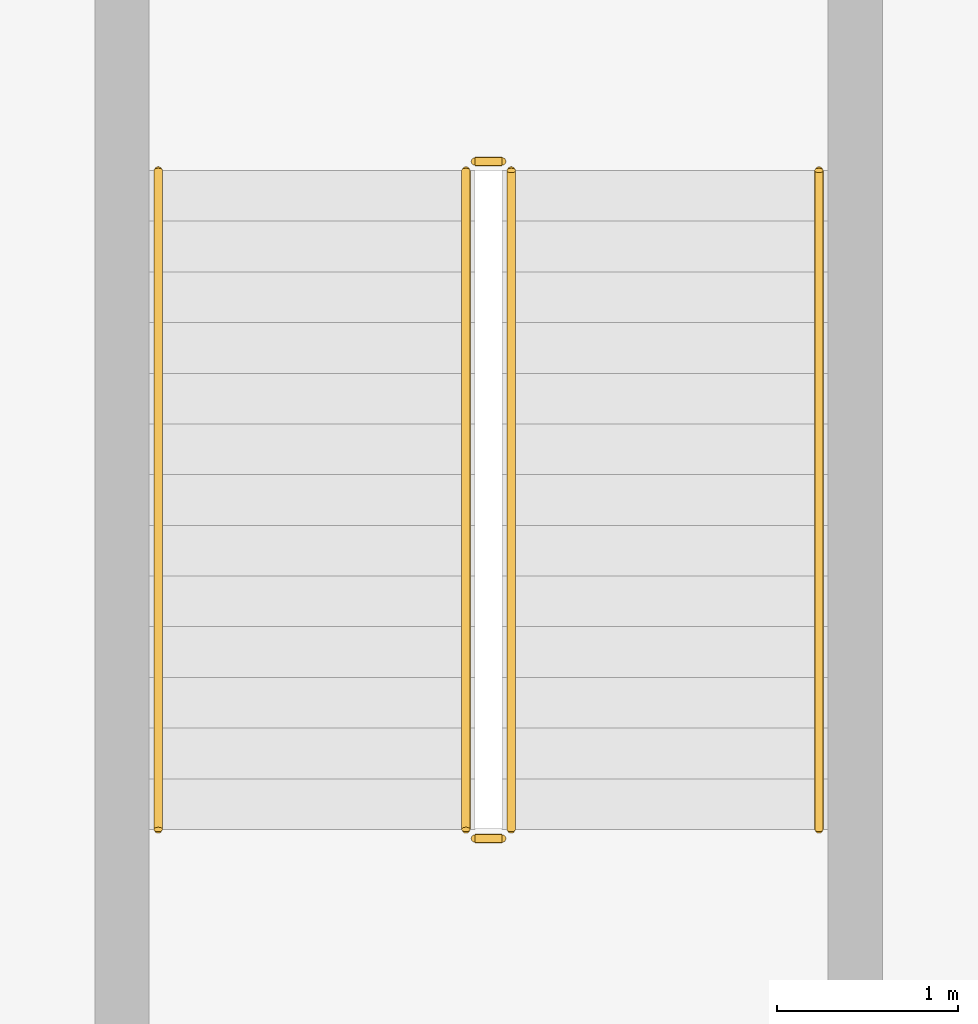
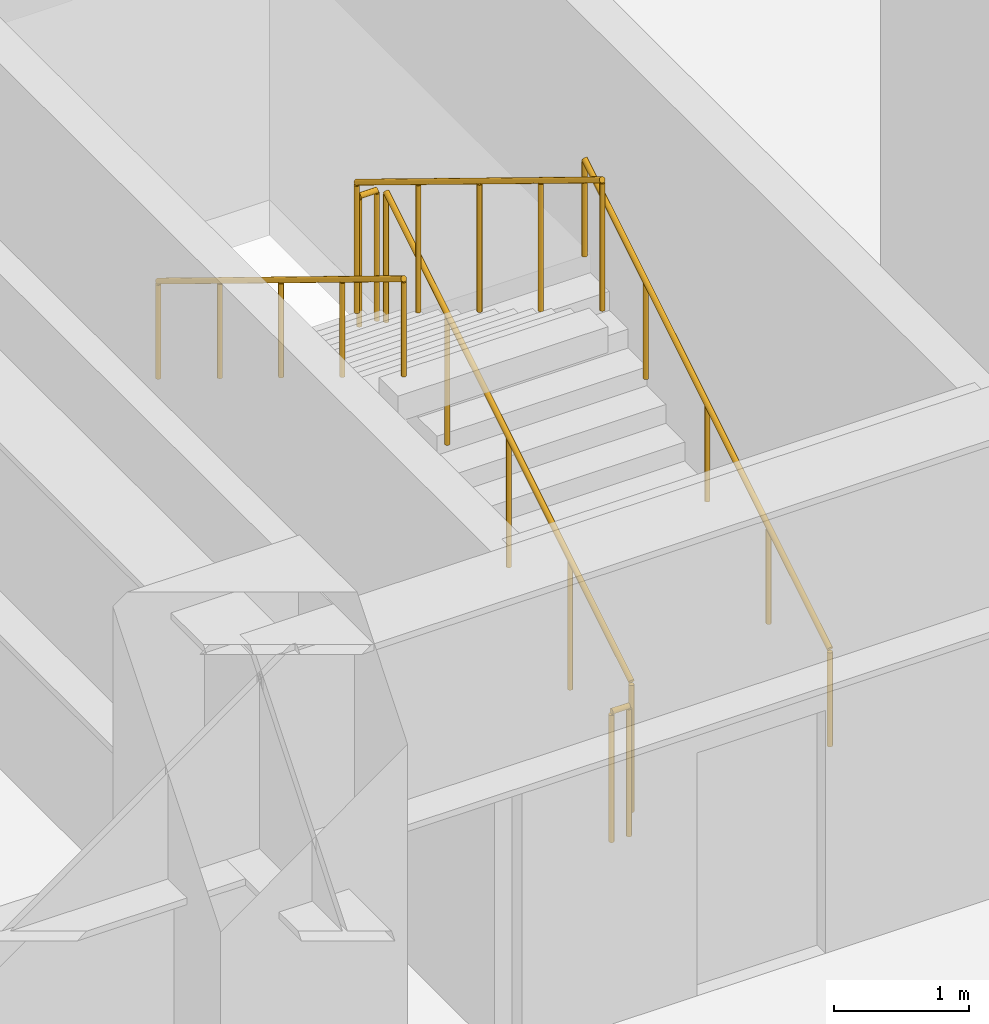
# One storey, part 9 of 13: 6 railings.
"""IFC4 building model written with IfcOpenShell, lengths in metres."""

from ifc_helpers import new_model, si_unit, direction, frame, origin, origin_2d, place, context, subcontext, project, spatial, circle, extrude, source, transform, mapped, material, type_object, element, save


model = new_model("IFC4")

# Units and contexts
model_context = context("Model", 3, precision=1e-05, world=origin(), true_north=direction((0.0, 1.0)))
body_context = subcontext(model_context, "Body", "Model", "MODEL_VIEW")
ifc_project = project(units=[si_unit("LENGTHUNIT", "METRE"), si_unit("AREAUNIT", "SQUARE_METRE"), si_unit("VOLUMEUNIT", "CUBIC_METRE"), si_unit("PLANEANGLEUNIT", "RADIAN"), si_unit("MASSUNIT", "GRAM", prefix="KILO")], contexts=[model_context])

# Site, building, storey
site_placement = place(None, origin())
site = spatial("IfcSite", under=ifc_project, at=site_placement, CompositionType="ELEMENT")
building_placement = place(site_placement, origin())
building = spatial("IfcBuilding", under=site, at=building_placement, Name="Khorayat Bourse Tower", CompositionType="ELEMENT")
storey_placement = place(building_placement, frame((0.0, 0.0, -4.800048828125)))
storey = spatial("IfcBuildingStorey", under=building, at=storey_placement, Name="B01", CompositionType="ELEMENT", Elevation=-4.800048828125)

# Railings
ifc_material_1 = material(Name="Powder-coated steel balustrade", Category="steel")
railing_type_1 = type_object("IfcRailingType", Name="RLG-GUARD-1200", PredefinedType="GUARDRAIL", material=ifc_material_1)
shared_shape_1 = source(origin(), body_context, "Body", "SweptSolid", [
    extrude(circle(Radius=0.02392578125, at=origin_2d()), frame((0.0, 0.0, 1.17578125), z_axis=(-1.0, 0.0, 0.0), x_axis=(0.0, -1.0, 0.0)), (0.0, 0.0, 1.0), 0.14990234375),
    extrude(circle(Radius=0.02099609375, at=origin_2d()), origin(), (0.0, 0.0, 1.0), 1.15185546875),
    extrude(circle(Radius=0.02099609375, at=origin_2d()), frame((-0.14990234375, 0.0, 0.0)), (0.0, 0.0, 1.0), 1.15185546875),
])
for number, where, name in (
    (1, (-27.60009765625, -18.110107421875, 2.400146484375), "B01 ST-P1 stair guard 2"),
    (2, (-27.60009765625, -21.85009765625, 0.0), "B01 ST-P1 stair guard 4"),
):
    element("IfcRailing", number, at=place(storey_placement, frame(where)), inside=storey, type_object=railing_type_1, Name=name, PredefinedType="GUARDRAIL", context=body_context, shape_type="MappedRepresentation", body=[
        mapped(shared_shape_1, transform((0.0, 0.0, 0.0), scale=1.0)),
    ])
shared_shape_2 = source(origin(), body_context, "Body", "SweptSolid", [
    extrude(circle(Radius=0.02392578125, at=origin_2d()), frame((0.0, 0.0, 1.17578125), z_axis=(0.0, -0.852865859571, 0.52213008492), x_axis=(1.0, 0.0, 0.0)), (0.0, 0.0, 1.0), 4.26806640625),
    extrude(circle(Radius=0.02099609375, at=origin_2d()), origin(), (0.0, 0.0, 1.0), 1.15185546875),
    extrude(circle(Radius=0.02099609375, at=origin_2d()), frame((0.0, -0.91015625, 0.55712890625)), (0.0, 0.0, 1.0), 1.15185546875),
    extrude(circle(Radius=0.02099609375, at=origin_2d()), frame((0.0, -1.820068359375, 1.1142578125)), (0.0, 0.0, 1.0), 1.15185546875),
    extrude(circle(Radius=0.02099609375, at=origin_2d()), frame((0.0, -2.72998046875, 1.67138671875)), (0.0, 0.0, 1.0), 1.15185546875),
    extrude(circle(Radius=0.02099609375, at=origin_2d()), frame((0.0, -3.64013671875, 2.228515625)), (0.0, 0.0, 1.0), 1.15185546875),
])
railing_1_placement = place(storey_placement, frame((-27.800048828125, -18.159912109375, 2.571533203125)))
element("IfcRailing", 3, at=railing_1_placement, inside=storey, type_object=railing_type_1, Name="B01 ST-P1 stair guard 3", PredefinedType="GUARDRAIL", context=body_context, shape_type="MappedRepresentation", body=[
    mapped(shared_shape_2, transform((0.0, 0.0, 0.0), scale=1.0)),
])
ifc_material_2 = material(Name="Brushed bronze stainless-steel handrail", Category="steel")
railing_type_2 = type_object("IfcRailingType", Name="RLG-HAND-900", PredefinedType="HANDRAIL", material=ifc_material_2)
shared_shape_3 = source(origin(), body_context, "Body", "SweptSolid", [
    extrude(circle(Radius=0.02392578125, at=origin_2d()), frame((0.0, 0.0, 0.8759765625), z_axis=(0.0, -0.852865859571, 0.52213008492), x_axis=(1.0, 0.0, 0.0)), (0.0, 0.0, 1.0), 4.26806640625),
    extrude(circle(Radius=0.02099609375, at=origin_2d()), origin(), (0.0, 0.0, 1.0), 0.851806640625),
    extrude(circle(Radius=0.02099609375, at=origin_2d()), frame((0.0, -0.91015625, 0.55712890625)), (0.0, 0.0, 1.0), 0.851806640625),
    extrude(circle(Radius=0.02099609375, at=origin_2d()), frame((0.0, -1.820068359375, 1.1142578125)), (0.0, 0.0, 1.0), 0.851806640625),
    extrude(circle(Radius=0.02099609375, at=origin_2d()), frame((0.0, -2.72998046875, 1.67138671875)), (0.0, 0.0, 1.0), 0.851806640625),
    extrude(circle(Radius=0.02099609375, at=origin_2d()), frame((0.0, -3.64013671875, 2.228515625)), (0.0, 0.0, 1.0), 0.851806640625),
])
railing_2_placement = place(storey_placement, frame((-29.5, -18.159912109375, 2.571533203125)))
element("IfcRailing", 4, at=railing_2_placement, inside=storey, type_object=railing_type_2, Name="B01 ST-P1 stair handrail 2", PredefinedType="HANDRAIL", context=body_context, shape_type="MappedRepresentation", body=[
    mapped(shared_shape_3, transform((0.0, 0.0, 0.0), scale=1.0)),
])
shared_shape_4 = source(origin(), body_context, "Body", "SweptSolid", [
    extrude(circle(Radius=0.02392578125, at=origin_2d()), frame((0.0, 0.0, 1.17578125), z_axis=(0.0, 0.852840387347, 0.522171689878), x_axis=(-1.0, 0.0, 0.0)), (0.0, 0.0, 1.0), 4.268310546875),
    extrude(circle(Radius=0.02099609375, at=origin_2d()), origin(), (0.0, 0.0, 1.0), 1.15185546875),
    extrude(circle(Radius=0.02099609375, at=origin_2d()), frame((0.0, 0.91015625, 0.55712890625)), (0.0, 0.0, 1.0), 1.15185546875),
    extrude(circle(Radius=0.02099609375, at=origin_2d()), frame((0.0, 1.820068359375, 1.1142578125)), (0.0, 0.0, 1.0), 1.15185546875),
    extrude(circle(Radius=0.02099609375, at=origin_2d()), frame((0.0, 2.72998046875, 1.671630859375)), (0.0, 0.0, 1.0), 1.15185546875),
    extrude(circle(Radius=0.02099609375, at=origin_2d()), frame((0.0, 3.64013671875, 2.228759765625)), (0.0, 0.0, 1.0), 1.15185546875),
])
railing_3_placement = place(storey_placement, frame((-27.550048828125, -21.800048828125, 0.17138671875)))
element("IfcRailing", 5, at=railing_3_placement, inside=storey, type_object=railing_type_1, Name="B01 ST-P1 stair guard 1", PredefinedType="GUARDRAIL", context=body_context, shape_type="MappedRepresentation", body=[
    mapped(shared_shape_4, transform((0.0, 0.0, 0.0), scale=1.0)),
])
shared_shape_5 = source(origin(), body_context, "Body", "SweptSolid", [
    extrude(circle(Radius=0.02392578125, at=origin_2d()), frame((0.0, 0.0, 0.8759765625), z_axis=(0.0, 0.852840387347, 0.522171689878), x_axis=(-1.0, 0.0, 0.0)), (0.0, 0.0, 1.0), 4.268310546875),
    extrude(circle(Radius=0.02099609375, at=origin_2d()), origin(), (0.0, 0.0, 1.0), 0.851806640625),
    extrude(circle(Radius=0.02099609375, at=origin_2d()), frame((0.0, 0.91015625, 0.55712890625)), (0.0, 0.0, 1.0), 0.851806640625),
    extrude(circle(Radius=0.02099609375, at=origin_2d()), frame((0.0, 1.820068359375, 1.1142578125)), (0.0, 0.0, 1.0), 0.851806640625),
    extrude(circle(Radius=0.02099609375, at=origin_2d()), frame((0.0, 2.72998046875, 1.671630859375)), (0.0, 0.0, 1.0), 0.851806640625),
    extrude(circle(Radius=0.02099609375, at=origin_2d()), frame((0.0, 3.64013671875, 2.228759765625)), (0.0, 0.0, 1.0), 0.851806640625),
])
railing_4_placement = place(storey_placement, frame((-25.85009765625, -21.800048828125, 0.17138671875)))
element("IfcRailing", 6, at=railing_4_placement, inside=storey, type_object=railing_type_2, Name="B01 ST-P1 stair handrail 1", PredefinedType="HANDRAIL", context=body_context, shape_type="MappedRepresentation", body=[
    mapped(shared_shape_5, transform((0.0, 0.0, 0.0), scale=1.0)),
])

save(model, "model.ifc")
